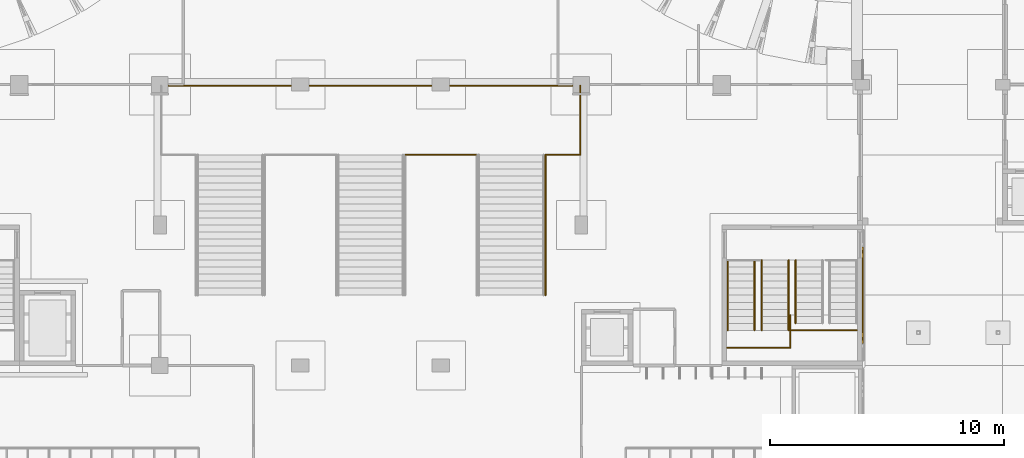
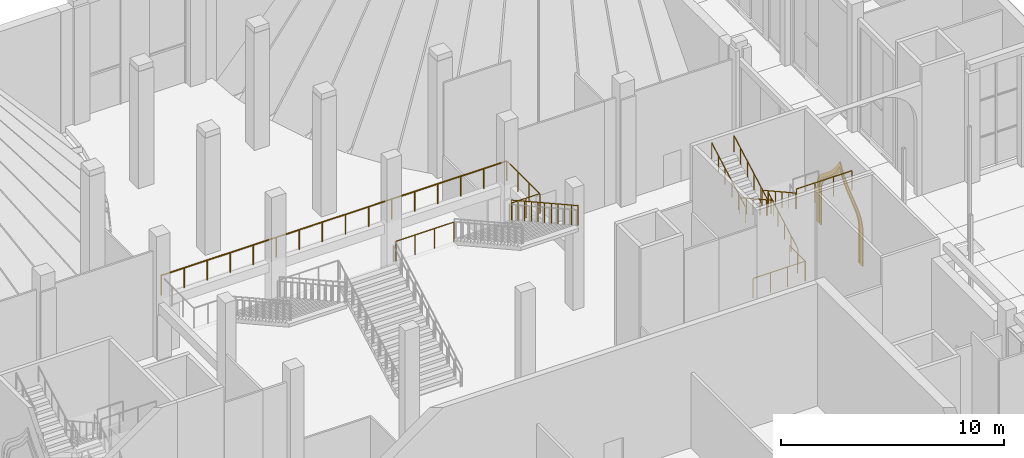
# One storey, part 87 of 95: 13 railings, 2 coverings.
"""IFC4 building model written with IfcOpenShell, lengths in metres."""

from ifc_helpers import new_model, si_unit, direction, frame, origin, origin_2d, place, context, subcontext, project, spatial, polyline, circle, outline, extrude, material, layer, layer_set, type_object, element, save


model = new_model("IFC4")

# Units and contexts
model_context = context("Model", 3, precision=1e-05, world=origin(), true_north=direction((0.0, 1.0)))
body_context = subcontext(model_context, "Body", "Model", "MODEL_VIEW")
ifc_project = project(units=[si_unit("LENGTHUNIT", "METRE"), si_unit("AREAUNIT", "SQUARE_METRE"), si_unit("VOLUMEUNIT", "CUBIC_METRE"), si_unit("PLANEANGLEUNIT", "RADIAN"), si_unit("MASSUNIT", "GRAM", prefix="KILO")], contexts=[model_context])

# Site, building, storey
site_placement = place(None, origin())
site = spatial("IfcSite", under=ifc_project, at=site_placement, CompositionType="ELEMENT")
building_placement = place(site_placement, origin())
building = spatial("IfcBuilding", under=site, at=building_placement, Name="Saffron Lane Theatres", CompositionType="ELEMENT")
storey_placement = place(building_placement, origin())
storey = spatial("IfcBuildingStorey", under=building, at=storey_placement, Name="L00", CompositionType="ELEMENT", Elevation=0.0)

# Coverings
ifc_material_1 = material(Name="Masonry sandstone", Category="masonry")
ifc_layer = layer(ifc_material_1, 0.050048828125)
ifc_layer_set = layer_set([ifc_layer], Name="Masonry sandstone")
covering_type = type_object("IfcCoveringType", Name="EX-ARCH FRAME RING SANDSTONE 50", PredefinedType="CLADDING", material=ifc_layer_set)
covering_1_placement = place(storey_placement, frame((54.0, 97.2099609375, 3.12890625), z_axis=(-1.0, 0.0, 0.0), x_axis=(0.0, 0.060212267817, 0.99818559537)))
element("IfcCovering", 1, at=covering_1_placement, inside=storey, type_object=covering_type, Name="Arch recess ring L00", PredefinedType="CLADDING", context=body_context, shape_type="SweptSolid", body=[
    extrude(outline(polyline([(0.0, 0.0), (0.18245996245064686, 1.734723475976807e-18), (0.34723453126474224, 0.023079409295178335), (0.49622918690115053, 0.06838953283459552), (0.6301982160698869, 0.13221610474866663), (0.7522361869840188, 0.21314953337272502), (0.8673137477940834, 0.3084441366809254), (0.9769603789575473, 0.41507264098694907), (1.0849429406100468, 0.5306065632235581), (1.196652181685609, 0.6552098929656452), (1.3147478693531138, 0.7843196692926863), (1.4429589697428435, 0.9189338765698157), (1.5854662369971864, 1.0553761429328028), (1.7442633531391913, 1.1942599592614254), (1.9247936613689376, 1.3325665453533233), (2.12835764474947, 1.4675270254379955), (2.4426495451358874, 1.645948009593871), (2.1520838655153414, 1.860855040801105), (1.966218996014678, 2.0193065374804875), (1.8036230058359621, 2.1783110906345584), (1.662672006180802, 2.3352762276211867), (1.5375992481137724, 2.487859380230101), (1.426499251176009, 2.63690924351224), (1.3247796539255927, 2.779278654988486), (1.228858492839216, 2.9164066068448986), (1.1355467913628874, 3.044082944417697), (1.0395126016053695, 3.1631184687524665), (0.9367244587384699, 3.2715551051242904), (0.8253000760479804, 3.366571383496617), (0.6999748001694127, 3.4460390327928985), (0.5574482592399335, 3.5079558775061255), (0.39670156185697103, 3.55164962571373), (0.21556462286910513, 3.5735824146744983), (-1.6599325309316955, 3.686715621002965), (-1.6671650591948977, 3.566816374684099), (0.2044329321239884, 3.4539183725267932), (0.37338498835587197, 3.4327205966009036), (0.5183416457148889, 3.394871018701731), (0.6434016635559805, 3.339388641432058), (0.7534158012368836, 3.269649624665426), (0.8543588980500086, 3.1833368806434383), (0.9484304396681715, 3.084475667417548), (1.0398993817979454, 2.970851799054243), (1.1314232049009902, 2.845973737773342), (1.2274178672908547, 2.7100642741925265), (1.329994653076169, 2.5656864804325337), (1.4431703268244287, 2.4145547335631594), (1.5708440510175474, 2.256433829413242), (1.7174232904851157, 2.0954604213430774), (1.8848282259466955, 1.9310295119568452), (2.0772226245767573, 1.767292454875538), (2.2230779578730857, 1.6591929444823779), (2.065286012890334, 1.569409958918385), (1.8546044899525003, 1.4299871330308518), (1.6686478254905923, 1.2868716016560897), (1.5037814617152523, 1.1446851267574143), (1.3580264168641274, 1.0030579151101657), (1.2275044354927402, 0.8666264289383573), (1.1083163551191764, 0.7356258724131494), (0.9966806153471018, 0.6122410309466604), (0.8908093378032328, 0.49927018083078695), (0.7863453652168108, 0.39746532206832463), (0.6810722249471028, 0.31062892209304366), (0.5704857571163746, 0.2370760043565431), (0.45288628491552757, 0.1810670310814375), (0.32206376488099014, 0.14101992754420883), (0.1735496444331623, 0.11989467290442692), (0.0033333657812880347, 0.1201344504900272), (-1.868264625537598, 0.2330324526473327), (-1.8754971538008005, 0.11313320632846652), (0.0, 0.0)])), origin(), (0.0, 0.0, -1.0), 0.050048828125),
])
covering_2_placement = place(storey_placement, frame((54.0, 96.949951171875, 3.1298828125), z_axis=(-1.0, 0.0, 0.0), x_axis=(0.0, 0.063270109204, 0.997996439513)))
element("IfcCovering", 2, at=covering_2_placement, inside=storey, type_object=covering_type, Name="Arch recess ring L00", PredefinedType="CLADDING", context=body_context, shape_type="SweptSolid", body=[
    extrude(outline(polyline([(0.0, 0.0), (0.20451131328636926, 0.0), (0.391608832374967, 0.026300952584901824), (0.5603025045638261, 0.07872099349623404), (0.7122943927847947, 0.15323812471010928), (0.850322953083702, 0.24674316688458328), (0.9794859222312594, 0.3547542152652111), (1.1014425201368863, 0.47643218780048757), (1.22206777840678, 0.6079797937474251), (1.3461265989027185, 0.747382536704494), (1.475506406204607, 0.8935422363416936), (1.61737772331112, 1.0438026252684656), (1.772425164233714, 1.1973864086493233), (1.9465237605785872, 1.3504962957412796), (2.1436646167616167, 1.5043470465272013), (2.366570742024628, 1.6555858301906534), (2.7526149361191536, 1.8796565861857986), (2.3979586477623505, 2.15068562635549), (2.1959366015138087, 2.3288636362032866), (2.019726164757263, 2.505160633352086), (1.866434413406835, 2.6802492823989263), (1.7320239026346331, 2.8521838689374683), (1.6102643243423505, 3.0191576997974177), (1.5003783836945004, 3.1804861609673156), (1.3949175152203226, 3.3344397932968923), (1.291870719907874, 3.480167565320222), (1.1862568406393097, 3.6162728527959676), (1.071768335296298, 3.7397307051813806), (0.9466533031453908, 3.849918295681022), (0.8052888160797143, 3.9430333789166583), (0.644503907541305, 4.015362892944497), (0.4622875785182192, 4.066055806298615), (0.2594136264563572, 4.091882862594615), (-1.6167027271210241, 4.2108232534314585), (-1.6293536596009428, 4.011272695823683), (0.24091505858866472, 3.8927030282829542), (0.4226376727818617, 3.868950798358842), (0.5763074336567084, 3.8271619474415197), (0.7077565297969739, 3.766722100760383), (0.825226268312909, 3.69028898295165), (0.9325996259923582, 3.597371793676754), (1.0327386333131892, 3.4868105653896757), (1.130945332887761, 3.3612047329002017), (1.2313772465864183, 3.2205353520147404), (1.3349506904806907, 3.067679900015165), (1.4478805258648797, 2.9042014185972795), (1.5719958874924584, 2.731940991928976), (1.7130397805127526, 2.552736206788559), (1.8738777327932161, 2.369340966025863), (2.0582726440792407, 2.1832291279022495), (2.2709311264061713, 1.9953254605140816), (2.3932290112455648, 1.9024406220928562), (2.260180150818841, 1.8257440342686455), (2.0254945259810873, 1.6662006990332623), (1.8190724721842393, 1.5048655345333242), (1.6363618454330005, 1.3432502874173748), (1.4738160012380457, 1.1832922200669196), (1.3289401350280363, 1.0280850650198985), (1.196269284125732, 0.8801769620388366), (1.074221462641737, 0.7416252505476916), (0.9568289581458259, 0.6147653124425081), (0.8435461778625839, 0.5025673058291871), (0.7302464935296764, 0.4055374778503005), (0.6119985858308586, 0.3269240290838356), (0.4857550626402057, 0.2649631093819253), (0.34778741520992096, 0.22258203382804242), (0.19007059168582058, 0.2005341984288354), (0.006803297092145158, 0.19992128090389086), (-1.8634654210974624, 0.31849094844461956), (-1.8761163535773813, 0.11894039083684355), (0.0, 0.0)])), origin(), (0.0, 0.0, -1.0), 0.050048828125),
])

# Railings
ifc_material_2 = material(Name="Steel Grade 350", Category="steel")
railing_type_1 = type_object("IfcRailingType", Name="VC-GUARD 1100", PredefinedType="GUARDRAIL", material=ifc_material_2)
railing_1_placement = place(storey_placement, frame((50.89990234375, 96.75, 1.666748046875)))
element("IfcRailing", 3, at=railing_1_placement, inside=storey, type_object=railing_type_1, Name="Brick Block East Stair landing guard 1N1s", PredefinedType="GUARDRAIL", context=body_context, shape_type="SweptSolid", body=[
    extrude(circle(Radius=0.02392578125, at=origin_2d()), frame((0.0, 0.0, 1.076171875), z_axis=(-1.0, 0.0, 0.0), x_axis=(0.0, -1.0, 0.0)), (0.0, 0.0, 1.0), 2.669921875),
    extrude(circle(Radius=0.02099609375, at=origin_2d()), origin(), (0.0, 0.0, 1.0), 1.052001953125),
    extrude(circle(Radius=0.02099609375, at=origin_2d()), frame((-0.889892578125, 0.0, 0.0)), (0.0, 0.0, 1.0), 1.052001953125),
    extrude(circle(Radius=0.02099609375, at=origin_2d()), frame((-1.780029296875, 0.0, 0.0)), (0.0, 0.0, 1.0), 1.052001953125),
    extrude(circle(Radius=0.02099609375, at=origin_2d()), frame((-2.669921875, 0.0, 0.0)), (0.0, 0.0, 1.0), 1.052001953125),
])
railing_2_placement = place(storey_placement, frame((50.929931640625, 98.14990234375, 1.666748046875)))
element("IfcRailing", 4, at=railing_2_placement, inside=storey, type_object=railing_type_1, Name="Brick Block East Stair landing guard 1N1e", PredefinedType="GUARDRAIL", context=body_context, shape_type="SweptSolid", body=[
    extrude(circle(Radius=0.02392578125, at=origin_2d()), frame((0.0, 0.0, 1.076171875), z_axis=(0.0, -1.0, 0.0), x_axis=(1.0, 0.0, 0.0)), (0.0, 0.0, 1.0), 1.39990234375),
    extrude(circle(Radius=0.02099609375, at=origin_2d()), origin(), (0.0, 0.0, 1.0), 1.052001953125),
    extrude(circle(Radius=0.02099609375, at=origin_2d()), frame((0.0, -0.699951171875, 0.0)), (0.0, 0.0, 1.0), 1.052001953125),
    extrude(circle(Radius=0.02099609375, at=origin_2d()), frame((0.0, -1.39990234375, 0.0)), (0.0, 0.0, 1.0), 1.052001953125),
])
railing_3_placement = place(storey_placement, frame((53.77001953125, 97.5, 5.166748046875)))
element("IfcRailing", 5, at=railing_3_placement, inside=storey, type_object=railing_type_1, Name="Brick Block East Stair landing guard 1N2s", PredefinedType="GUARDRAIL", context=body_context, shape_type="SweptSolid", body=[
    extrude(circle(Radius=0.02392578125, at=origin_2d()), frame((0.0, 0.0, 1.076171875), z_axis=(-1.0, 0.0, 0.0), x_axis=(0.0, -1.0, 0.0)), (0.0, 0.0, 1.0), 2.8701171875),
    extrude(circle(Radius=0.02099609375, at=origin_2d()), origin(), (0.0, 0.0, 1.0), 1.052001953125),
    extrude(circle(Radius=0.02099609375, at=origin_2d()), frame((-0.956787109375, 0.0, 0.0)), (0.0, 0.0, 1.0), 1.052001953125),
    extrude(circle(Radius=0.02099609375, at=origin_2d()), frame((-1.913330078125, 0.0, 0.0)), (0.0, 0.0, 1.0), 1.052001953125),
    extrude(circle(Radius=0.02099609375, at=origin_2d()), frame((-2.8701171875, 0.0, 0.0)), (0.0, 0.0, 1.0), 1.052001953125),
])
railing_4_placement = place(storey_placement, frame((40.469970703125, 105.0, 3.666748046875)))
element("IfcRailing", 6, at=railing_4_placement, inside=storey, type_object=railing_type_1, Name="Grand Stair flight guard 1.3b", PredefinedType="GUARDRAIL", context=body_context, shape_type="SweptSolid", body=[
    extrude(circle(Radius=0.02392578125, at=origin_2d()), frame((0.0, 0.0, 1.076171875), z_axis=(0.0, -0.874241147926, 0.485491931212), x_axis=(1.0, 0.0, 0.0)), (0.0, 0.0, 1.0), 0.6865234375),
    extrude(circle(Radius=0.02392578125, at=origin_2d()), frame((0.0, -0.60009765625, 1.4091796875), z_axis=(0.0, -0.874157276122, 0.485642931179), x_axis=(1.0, 0.0, 0.0)), (0.0, 0.0, 1.0), 0.686279296875),
    extrude(circle(Radius=0.02392578125, at=origin_2d()), frame((0.0, -1.199951171875, 1.74267578125), z_axis=(0.0, -0.874090171491, 0.485763699861), x_axis=(1.0, 0.0, 0.0)), (0.0, 0.0, 1.0), 0.6865234375),
    extrude(circle(Radius=0.02392578125, at=origin_2d()), frame((0.0, -1.800048828125, 2.076171875), z_axis=(0.0, -0.874157276122, 0.485642931179), x_axis=(1.0, 0.0, 0.0)), (0.0, 0.0, 1.0), 0.686279296875),
    extrude(circle(Radius=0.02392578125, at=origin_2d()), frame((0.0, -2.39990234375, 2.4091796875), z_axis=(0.0, -0.874241147926, 0.485491931212), x_axis=(1.0, 0.0, 0.0)), (0.0, 0.0, 1.0), 0.6865234375),
    extrude(circle(Radius=0.02392578125, at=origin_2d()), frame((0.0, -3.0, 2.74267578125), z_axis=(0.0, -0.874090171491, 0.485763699861), x_axis=(1.0, 0.0, 0.0)), (0.0, 0.0, 1.0), 0.6865234375),
    extrude(circle(Radius=0.02392578125, at=origin_2d()), frame((0.0, -3.60009765625, 3.076171875), z_axis=(0.0, -0.874157276122, 0.485642931179), x_axis=(1.0, 0.0, 0.0)), (0.0, 0.0, 1.0), 0.686279296875),
    extrude(circle(Radius=0.02392578125, at=origin_2d()), frame((0.0, -4.199951171875, 3.4091796875), z_axis=(0.0, -0.874241147926, 0.485491931212), x_axis=(1.0, 0.0, 0.0)), (0.0, 0.0, 1.0), 0.6865234375),
    extrude(circle(Radius=0.02392578125, at=origin_2d()), frame((0.0, -4.800048828125, 3.74267578125), z_axis=(0.0, -0.874006220275, 0.485914732151), x_axis=(1.0, 0.0, 0.0)), (0.0, 0.0, 1.0), 0.686279296875),
    extrude(circle(Radius=0.02392578125, at=origin_2d()), frame((0.0, -5.39990234375, 4.076171875), z_axis=(0.0, -0.874241147926, 0.485491931212), x_axis=(1.0, 0.0, 0.0)), (0.0, 0.0, 1.0), 0.6865234375),
    extrude(circle(Radius=0.02099609375, at=origin_2d()), origin(), (0.0, 0.0, 1.0), 1.052001953125),
    extrude(circle(Radius=0.02099609375, at=origin_2d()), frame((0.0, -0.60009765625, 0.333251953125)), (0.0, 0.0, 1.0), 1.052001953125),
    extrude(circle(Radius=0.02099609375, at=origin_2d()), frame((0.0, -1.199951171875, 0.66650390625)), (0.0, 0.0, 1.0), 1.052001953125),
    extrude(circle(Radius=0.02099609375, at=origin_2d()), frame((0.0, -1.800048828125, 1.0)), (0.0, 0.0, 1.0), 1.052001953125),
    extrude(circle(Radius=0.02099609375, at=origin_2d()), frame((0.0, -2.39990234375, 1.333251953125)), (0.0, 0.0, 1.0), 1.052001953125),
    extrude(circle(Radius=0.02099609375, at=origin_2d()), frame((0.0, -3.0, 1.66650390625)), (0.0, 0.0, 1.0), 1.052001953125),
    extrude(circle(Radius=0.02099609375, at=origin_2d()), frame((0.0, -3.60009765625, 2.0)), (0.0, 0.0, 1.0), 1.052001953125),
    extrude(circle(Radius=0.02099609375, at=origin_2d()), frame((0.0, -4.199951171875, 2.333251953125)), (0.0, 0.0, 1.0), 1.052001953125),
    extrude(circle(Radius=0.02099609375, at=origin_2d()), frame((0.0, -4.800048828125, 2.66650390625)), (0.0, 0.0, 1.0), 1.052001953125),
    extrude(circle(Radius=0.02099609375, at=origin_2d()), frame((0.0, -5.39990234375, 3.0)), (0.0, 0.0, 1.0), 1.052001953125),
    extrude(circle(Radius=0.02099609375, at=origin_2d()), frame((0.0, -6.0, 3.333251953125)), (0.0, 0.0, 1.0), 1.052001953125),
])
railing_5_placement = place(storey_placement, frame((41.949951171875, 105.0, 3.5)))
element("IfcRailing", 7, at=railing_5_placement, inside=storey, type_object=railing_type_1, Name="Grand Stair landing guard 1m-east", PredefinedType="GUARDRAIL", context=body_context, shape_type="SweptSolid", body=[
    extrude(circle(Radius=0.02392578125, at=origin_2d()), frame((0.0, 0.0, 1.076171875), z_axis=(0.0, 1.0, 0.0), x_axis=(-1.0, 0.0, 0.0)), (0.0, 0.0, 1.0), 2.949951171875),
    extrude(circle(Radius=0.02099609375, at=origin_2d()), origin(), (0.0, 0.0, 1.0), 1.052001953125),
    extrude(circle(Radius=0.02099609375, at=origin_2d()), frame((0.0, 0.9833984375, 0.0)), (0.0, 0.0, 1.0), 1.052001953125),
    extrude(circle(Radius=0.02099609375, at=origin_2d()), frame((0.0, 1.966552734375, 0.0)), (0.0, 0.0, 1.0), 1.052001953125),
    extrude(circle(Radius=0.02099609375, at=origin_2d()), frame((0.0, 2.949951171875, 0.0)), (0.0, 0.0, 1.0), 1.052001953125),
])
railing_6_placement = place(storey_placement, frame((24.050048828125, 107.949951171875, 3.5)))
element("IfcRailing", 8, at=railing_6_placement, inside=storey, type_object=railing_type_1, Name="Grand Stair landing guard 1m-north", PredefinedType="GUARDRAIL", context=body_context, shape_type="SweptSolid", body=[
    extrude(circle(Radius=0.02392578125, at=origin_2d()), frame((0.0, 0.0, 1.076171875), z_axis=(1.0, 0.0, 0.0), x_axis=(0.0, 1.0, 0.0)), (0.0, 0.0, 1.0), 17.89990234375),
    extrude(circle(Radius=0.02099609375, at=origin_2d()), origin(), (0.0, 0.0, 1.0), 1.052001953125),
    extrude(circle(Radius=0.02099609375, at=origin_2d()), frame((1.193359375, 0.0, 0.0)), (0.0, 0.0, 1.0), 1.052001953125),
    extrude(circle(Radius=0.02099609375, at=origin_2d()), frame((2.38671875, 0.0, 0.0)), (0.0, 0.0, 1.0), 1.052001953125),
    extrude(circle(Radius=0.02099609375, at=origin_2d()), frame((3.580078125, 0.0, 0.0)), (0.0, 0.0, 1.0), 1.052001953125),
    extrude(circle(Radius=0.02099609375, at=origin_2d()), frame((4.773193359375, 0.0, 0.0)), (0.0, 0.0, 1.0), 1.052001953125),
    extrude(circle(Radius=0.02099609375, at=origin_2d()), frame((5.966552734375, 0.0, 0.0)), (0.0, 0.0, 1.0), 1.052001953125),
    extrude(circle(Radius=0.02099609375, at=origin_2d()), frame((7.159912109375, 0.0, 0.0)), (0.0, 0.0, 1.0), 1.052001953125),
    extrude(circle(Radius=0.02099609375, at=origin_2d()), frame((8.353271484375, 0.0, 0.0)), (0.0, 0.0, 1.0), 1.052001953125),
    extrude(circle(Radius=0.02099609375, at=origin_2d()), frame((9.546630859375, 0.0, 0.0)), (0.0, 0.0, 1.0), 1.052001953125),
    extrude(circle(Radius=0.02099609375, at=origin_2d()), frame((10.739990234375, 0.0, 0.0)), (0.0, 0.0, 1.0), 1.052001953125),
    extrude(circle(Radius=0.02099609375, at=origin_2d()), frame((11.933349609375, 0.0, 0.0)), (0.0, 0.0, 1.0), 1.052001953125),
    extrude(circle(Radius=0.02099609375, at=origin_2d()), frame((13.126708984375, 0.0, 0.0)), (0.0, 0.0, 1.0), 1.052001953125),
    extrude(circle(Radius=0.02099609375, at=origin_2d()), frame((14.31982421875, 0.0, 0.0)), (0.0, 0.0, 1.0), 1.052001953125),
    extrude(circle(Radius=0.02099609375, at=origin_2d()), frame((15.51318359375, 0.0, 0.0)), (0.0, 0.0, 1.0), 1.052001953125),
    extrude(circle(Radius=0.02099609375, at=origin_2d()), frame((16.70654296875, 0.0, 0.0)), (0.0, 0.0, 1.0), 1.052001953125),
    extrude(circle(Radius=0.02099609375, at=origin_2d()), frame((17.89990234375, 0.0, 0.0)), (0.0, 0.0, 1.0), 1.052001953125),
])
railing_7_placement = place(storey_placement, frame((34.5, 105.0, 3.5)))
element("IfcRailing", 9, at=railing_7_placement, inside=storey, type_object=railing_type_1, Name="Grand Stair landing guard 1m-gap3", PredefinedType="GUARDRAIL", context=body_context, shape_type="SweptSolid", body=[
    extrude(circle(Radius=0.02392578125, at=origin_2d()), frame((0.0, 0.0, 1.076171875), z_axis=(1.0, 0.0, 0.0), x_axis=(0.0, 1.0, 0.0)), (0.0, 0.0, 1.0), 3.0),
    extrude(circle(Radius=0.02099609375, at=origin_2d()), origin(), (0.0, 0.0, 1.0), 1.052001953125),
    extrude(circle(Radius=0.02099609375, at=origin_2d()), frame((1.0, 0.0, 0.0)), (0.0, 0.0, 1.0), 1.052001953125),
    extrude(circle(Radius=0.02099609375, at=origin_2d()), frame((2.0, 0.0, 0.0)), (0.0, 0.0, 1.0), 1.052001953125),
    extrude(circle(Radius=0.02099609375, at=origin_2d()), frame((3.0, 0.0, 0.0)), (0.0, 0.0, 1.0), 1.052001953125),
])
railing_8_placement = place(storey_placement, frame((40.5, 105.0, 3.5)))
element("IfcRailing", 10, at=railing_8_placement, inside=storey, type_object=railing_type_1, Name="Grand Stair landing guard 1m-gap4", PredefinedType="GUARDRAIL", context=body_context, shape_type="SweptSolid", body=[
    extrude(circle(Radius=0.02392578125, at=origin_2d()), frame((0.0, 0.0, 1.076171875), z_axis=(1.0, 0.0, 0.0), x_axis=(0.0, 1.0, 0.0)), (0.0, 0.0, 1.0), 1.449951171875),
    extrude(circle(Radius=0.02099609375, at=origin_2d()), origin(), (0.0, 0.0, 1.0), 1.052001953125),
    extrude(circle(Radius=0.02099609375, at=origin_2d()), frame((0.72509765625, 0.0, 0.0)), (0.0, 0.0, 1.0), 1.052001953125),
    extrude(circle(Radius=0.02099609375, at=origin_2d()), frame((1.449951171875, 0.0, 0.0)), (0.0, 0.0, 1.0), 1.052001953125),
])
ifc_material_3 = material(Name="Steel Grade 350", Category="steel")
railing_type_2 = type_object("IfcRailingType", Name="VC-HANDRAIL 900", PredefinedType="HANDRAIL", material=ifc_material_3)
railing_9_placement = place(storey_placement, frame((51.14990234375, 97.800048828125, 1.833251953125)))
element("IfcRailing", 11, at=railing_9_placement, inside=storey, type_object=railing_type_2, Name="Brick Block East Stair handrail 1.2b", PredefinedType="HANDRAIL", context=body_context, shape_type="SweptSolid", body=[
    extrude(circle(Radius=0.02392578125, at=origin_2d()), frame((0.0, 0.0, 0.8759765625), z_axis=(0.0, 0.874006220275, 0.485914732151), x_axis=(-1.0, 0.0, 0.0)), (0.0, 0.0, 1.0), 0.686279296875),
    extrude(circle(Radius=0.02392578125, at=origin_2d()), frame((0.0, 0.599853515625, 1.20947265625), z_axis=(0.0, 0.874241147926, 0.485491931212), x_axis=(-1.0, 0.0, 0.0)), (0.0, 0.0, 1.0), 0.6865234375),
    extrude(circle(Radius=0.02392578125, at=origin_2d()), frame((0.0, 1.199951171875, 1.54248046875), z_axis=(0.0, 0.874241147926, 0.485491931212), x_axis=(-1.0, 0.0, 0.0)), (0.0, 0.0, 1.0), 0.6865234375),
    extrude(circle(Radius=0.02392578125, at=origin_2d()), frame((0.0, 1.800048828125, 1.8759765625), z_axis=(0.0, 0.874006220275, 0.485914732151), x_axis=(-1.0, 0.0, 0.0)), (0.0, 0.0, 1.0), 0.686279296875),
    extrude(circle(Radius=0.02392578125, at=origin_2d()), frame((0.0, 2.39990234375, 2.20947265625), z_axis=(0.0, 0.87439209197, 0.485220021744), x_axis=(-1.0, 0.0, 0.0)), (0.0, 0.0, 1.0), 0.34326171875),
    extrude(circle(Radius=0.02099609375, at=origin_2d()), origin(), (0.0, 0.0, 1.0), 0.851806640625),
    extrude(circle(Radius=0.02099609375, at=origin_2d()), frame((0.0, 0.599853515625, 0.33349609375)), (0.0, 0.0, 1.0), 0.851806640625),
    extrude(circle(Radius=0.02099609375, at=origin_2d()), frame((0.0, 1.199951171875, 0.666748046875)), (0.0, 0.0, 1.0), 0.851806640625),
    extrude(circle(Radius=0.02099609375, at=origin_2d()), frame((0.0, 1.800048828125, 1.0)), (0.0, 0.0, 1.0), 0.851806640625),
    extrude(circle(Radius=0.02099609375, at=origin_2d()), frame((0.0, 2.39990234375, 1.33349609375)), (0.0, 0.0, 1.0), 0.851806640625),
    extrude(circle(Radius=0.02099609375, at=origin_2d()), frame((0.0, 2.699951171875, 1.5)), (0.0, 0.0, 1.0), 0.851806640625),
])
railing_10_placement = place(storey_placement, frame((50.85009765625, 100.5, 3.5)))
element("IfcRailing", 12, at=railing_10_placement, inside=storey, type_object=railing_type_2, Name="Brick Block East Stair handrail 1.3a", PredefinedType="HANDRAIL", context=body_context, shape_type="SweptSolid", body=[
    extrude(circle(Radius=0.02392578125, at=origin_2d()), frame((0.0, 0.0, 0.8759765625), z_axis=(0.0, -0.874241147926, 0.485491931212), x_axis=(1.0, 0.0, 0.0)), (0.0, 0.0, 1.0), 0.6865234375),
    extrude(circle(Radius=0.02392578125, at=origin_2d()), frame((0.0, -0.60009765625, 1.208984375), z_axis=(0.0, -0.874006220275, 0.485914732151), x_axis=(1.0, 0.0, 0.0)), (0.0, 0.0, 1.0), 0.686279296875),
    extrude(circle(Radius=0.02392578125, at=origin_2d()), frame((0.0, -1.199951171875, 1.54248046875), z_axis=(0.0, -0.874241147926, 0.485491931212), x_axis=(1.0, 0.0, 0.0)), (0.0, 0.0, 1.0), 0.6865234375),
    extrude(circle(Radius=0.02392578125, at=origin_2d()), frame((0.0, -1.800048828125, 1.8759765625), z_axis=(0.0, -0.874157276122, 0.485642931179), x_axis=(1.0, 0.0, 0.0)), (0.0, 0.0, 1.0), 0.686279296875),
    extrude(circle(Radius=0.02392578125, at=origin_2d()), frame((0.0, -2.39990234375, 2.208984375), z_axis=(0.0, -0.874090171491, 0.485763699861), x_axis=(1.0, 0.0, 0.0)), (0.0, 0.0, 1.0), 0.6865234375),
    extrude(circle(Radius=0.02099609375, at=origin_2d()), origin(), (0.0, 0.0, 1.0), 0.851806640625),
    extrude(circle(Radius=0.02099609375, at=origin_2d()), frame((0.0, -0.60009765625, 0.333251953125)), (0.0, 0.0, 1.0), 0.851806640625),
    extrude(circle(Radius=0.02099609375, at=origin_2d()), frame((0.0, -1.199951171875, 0.666748046875)), (0.0, 0.0, 1.0), 0.851806640625),
    extrude(circle(Radius=0.02099609375, at=origin_2d()), frame((0.0, -1.800048828125, 1.0)), (0.0, 0.0, 1.0), 0.851806640625),
    extrude(circle(Radius=0.02099609375, at=origin_2d()), frame((0.0, -2.39990234375, 1.333251953125)), (0.0, 0.0, 1.0), 0.851806640625),
    extrude(circle(Radius=0.02099609375, at=origin_2d()), frame((0.0, -3.0, 1.666748046875)), (0.0, 0.0, 1.0), 0.851806640625),
])
railing_11_placement = place(storey_placement, frame((49.699951171875, 100.5, 3.5)))
element("IfcRailing", 13, at=railing_11_placement, inside=storey, type_object=railing_type_2, Name="Brick Block East Stair handrail 1.3b", PredefinedType="HANDRAIL", context=body_context, shape_type="SweptSolid", body=[
    extrude(circle(Radius=0.02392578125, at=origin_2d()), frame((0.0, 0.0, 0.8759765625), z_axis=(0.0, -0.874241147926, 0.485491931212), x_axis=(1.0, 0.0, 0.0)), (0.0, 0.0, 1.0), 0.6865234375),
    extrude(circle(Radius=0.02392578125, at=origin_2d()), frame((0.0, -0.60009765625, 1.208984375), z_axis=(0.0, -0.874006220275, 0.485914732151), x_axis=(1.0, 0.0, 0.0)), (0.0, 0.0, 1.0), 0.686279296875),
    extrude(circle(Radius=0.02392578125, at=origin_2d()), frame((0.0, -1.199951171875, 1.54248046875), z_axis=(0.0, -0.874241147926, 0.485491931212), x_axis=(1.0, 0.0, 0.0)), (0.0, 0.0, 1.0), 0.6865234375),
    extrude(circle(Radius=0.02392578125, at=origin_2d()), frame((0.0, -1.800048828125, 1.8759765625), z_axis=(0.0, -0.874157276122, 0.485642931179), x_axis=(1.0, 0.0, 0.0)), (0.0, 0.0, 1.0), 0.686279296875),
    extrude(circle(Radius=0.02392578125, at=origin_2d()), frame((0.0, -2.39990234375, 2.208984375), z_axis=(0.0, -0.874090171491, 0.485763699861), x_axis=(1.0, 0.0, 0.0)), (0.0, 0.0, 1.0), 0.6865234375),
    extrude(circle(Radius=0.02099609375, at=origin_2d()), origin(), (0.0, 0.0, 1.0), 0.851806640625),
    extrude(circle(Radius=0.02099609375, at=origin_2d()), frame((0.0, -0.60009765625, 0.333251953125)), (0.0, 0.0, 1.0), 0.851806640625),
    extrude(circle(Radius=0.02099609375, at=origin_2d()), frame((0.0, -1.199951171875, 0.666748046875)), (0.0, 0.0, 1.0), 0.851806640625),
    extrude(circle(Radius=0.02099609375, at=origin_2d()), frame((0.0, -1.800048828125, 1.0)), (0.0, 0.0, 1.0), 0.851806640625),
    extrude(circle(Radius=0.02099609375, at=origin_2d()), frame((0.0, -2.39990234375, 1.333251953125)), (0.0, 0.0, 1.0), 0.851806640625),
    extrude(circle(Radius=0.02099609375, at=origin_2d()), frame((0.0, -3.0, 1.666748046875)), (0.0, 0.0, 1.0), 0.851806640625),
])
railing_12_placement = place(storey_placement, frame((49.39990234375, 97.5, 5.333251953125)))
element("IfcRailing", 14, at=railing_12_placement, inside=storey, type_object=railing_type_2, Name="Brick Block East Stair handrail 1.4a", PredefinedType="HANDRAIL", context=body_context, shape_type="SweptSolid", body=[
    extrude(circle(Radius=0.02392578125, at=origin_2d()), frame((0.0, 0.0, 0.8759765625), z_axis=(0.0, 0.874090171491, 0.485763699861), x_axis=(-1.0, 0.0, 0.0)), (0.0, 0.0, 1.0), 0.6865234375),
    extrude(circle(Radius=0.02392578125, at=origin_2d()), frame((0.0, 0.60009765625, 1.20947265625), z_axis=(0.0, 0.874157276122, 0.485642931179), x_axis=(-1.0, 0.0, 0.0)), (0.0, 0.0, 1.0), 0.686279296875),
    extrude(circle(Radius=0.02392578125, at=origin_2d()), frame((0.0, 1.199951171875, 1.54248046875), z_axis=(0.0, 0.874241147926, 0.485491931212), x_axis=(-1.0, 0.0, 0.0)), (0.0, 0.0, 1.0), 0.6865234375),
    extrude(circle(Radius=0.02392578125, at=origin_2d()), frame((0.0, 1.800048828125, 1.8759765625), z_axis=(0.0, 0.874006220275, 0.485914732151), x_axis=(-1.0, 0.0, 0.0)), (0.0, 0.0, 1.0), 0.686279296875),
    extrude(circle(Radius=0.02392578125, at=origin_2d()), frame((0.0, 2.39990234375, 2.20947265625), z_axis=(0.0, 0.874241147926, 0.485491931212), x_axis=(-1.0, 0.0, 0.0)), (0.0, 0.0, 1.0), 0.6865234375),
    extrude(circle(Radius=0.02099609375, at=origin_2d()), origin(), (0.0, 0.0, 1.0), 0.851806640625),
    extrude(circle(Radius=0.02099609375, at=origin_2d()), frame((0.0, 0.60009765625, 0.33349609375)), (0.0, 0.0, 1.0), 0.851806640625),
    extrude(circle(Radius=0.02099609375, at=origin_2d()), frame((0.0, 1.199951171875, 0.666748046875)), (0.0, 0.0, 1.0), 0.851806640625),
    extrude(circle(Radius=0.02099609375, at=origin_2d()), frame((0.0, 1.800048828125, 1.0)), (0.0, 0.0, 1.0), 0.851806640625),
    extrude(circle(Radius=0.02099609375, at=origin_2d()), frame((0.0, 2.39990234375, 1.33349609375)), (0.0, 0.0, 1.0), 0.851806640625),
    extrude(circle(Radius=0.02099609375, at=origin_2d()), frame((0.0, 3.0, 1.666748046875)), (0.0, 0.0, 1.0), 0.851806640625),
])
railing_13_placement = place(storey_placement, frame((48.25, 97.5, 5.333251953125)))
element("IfcRailing", 15, at=railing_13_placement, inside=storey, type_object=railing_type_2, Name="Brick Block East Stair handrail 1.4b", PredefinedType="HANDRAIL", context=body_context, shape_type="SweptSolid", body=[
    extrude(circle(Radius=0.02392578125, at=origin_2d()), frame((0.0, 0.0, 0.8759765625), z_axis=(0.0, 0.874090171491, 0.485763699861), x_axis=(-1.0, 0.0, 0.0)), (0.0, 0.0, 1.0), 0.6865234375),
    extrude(circle(Radius=0.02392578125, at=origin_2d()), frame((0.0, 0.60009765625, 1.20947265625), z_axis=(0.0, 0.874157276122, 0.485642931179), x_axis=(-1.0, 0.0, 0.0)), (0.0, 0.0, 1.0), 0.686279296875),
    extrude(circle(Radius=0.02392578125, at=origin_2d()), frame((0.0, 1.199951171875, 1.54248046875), z_axis=(0.0, 0.874241147926, 0.485491931212), x_axis=(-1.0, 0.0, 0.0)), (0.0, 0.0, 1.0), 0.6865234375),
    extrude(circle(Radius=0.02392578125, at=origin_2d()), frame((0.0, 1.800048828125, 1.8759765625), z_axis=(0.0, 0.874006220275, 0.485914732151), x_axis=(-1.0, 0.0, 0.0)), (0.0, 0.0, 1.0), 0.686279296875),
    extrude(circle(Radius=0.02392578125, at=origin_2d()), frame((0.0, 2.39990234375, 2.20947265625), z_axis=(0.0, 0.874241147926, 0.485491931212), x_axis=(-1.0, 0.0, 0.0)), (0.0, 0.0, 1.0), 0.6865234375),
    extrude(circle(Radius=0.02099609375, at=origin_2d()), origin(), (0.0, 0.0, 1.0), 0.851806640625),
    extrude(circle(Radius=0.02099609375, at=origin_2d()), frame((0.0, 0.60009765625, 0.33349609375)), (0.0, 0.0, 1.0), 0.851806640625),
    extrude(circle(Radius=0.02099609375, at=origin_2d()), frame((0.0, 1.199951171875, 0.666748046875)), (0.0, 0.0, 1.0), 0.851806640625),
    extrude(circle(Radius=0.02099609375, at=origin_2d()), frame((0.0, 1.800048828125, 1.0)), (0.0, 0.0, 1.0), 0.851806640625),
    extrude(circle(Radius=0.02099609375, at=origin_2d()), frame((0.0, 2.39990234375, 1.33349609375)), (0.0, 0.0, 1.0), 0.851806640625),
    extrude(circle(Radius=0.02099609375, at=origin_2d()), frame((0.0, 3.0, 1.666748046875)), (0.0, 0.0, 1.0), 0.851806640625),
])

save(model, "model.ifc")
